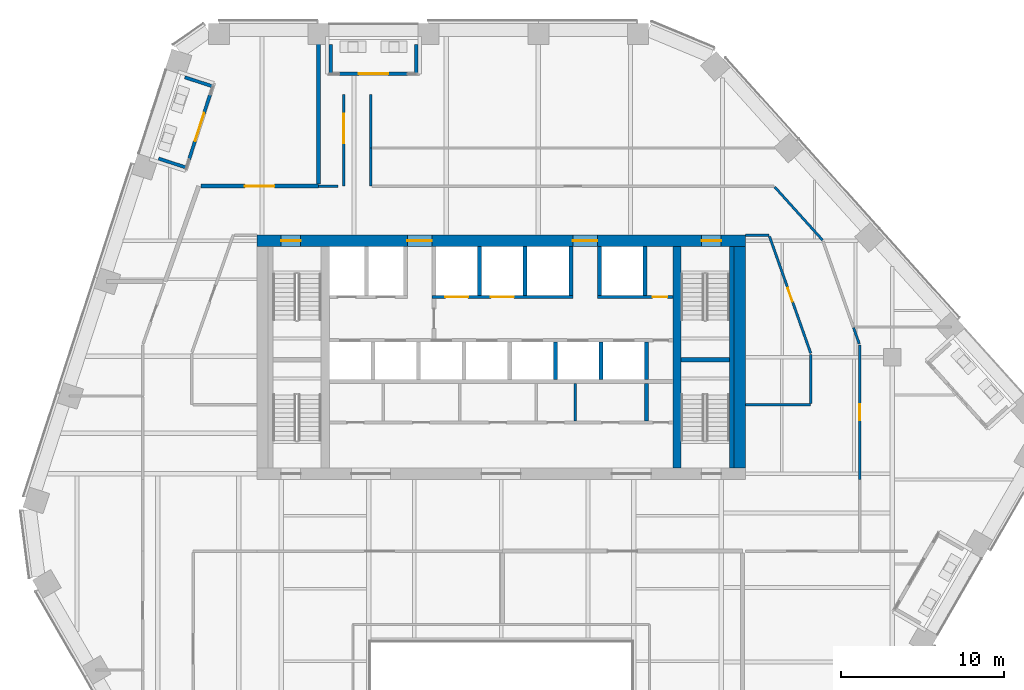
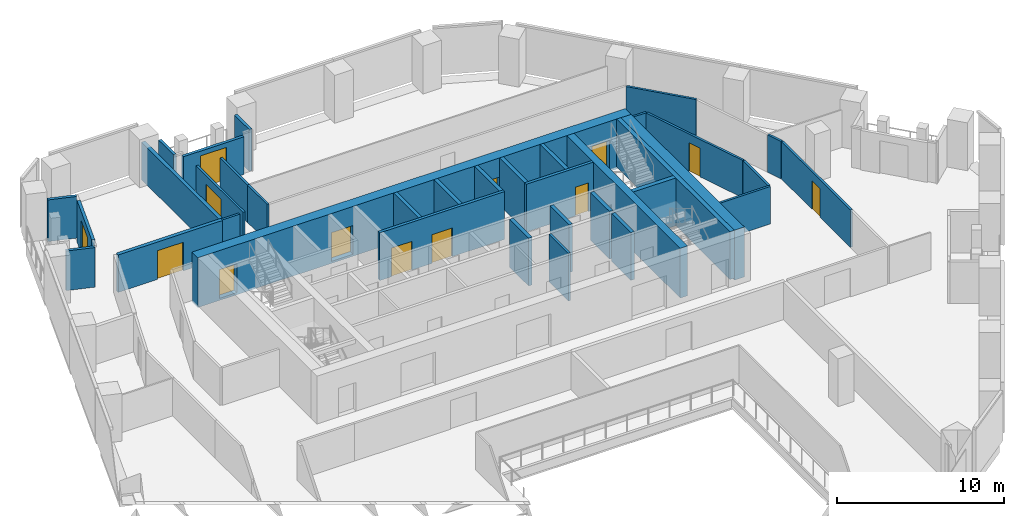
# One storey, part 21 of 26: 36 walls, 13 doors, 13 openings.
"""IFC4 building model written with IfcOpenShell, lengths in metres."""

from ifc_helpers import new_model, si_unit, direction, frame, frame_2d, origin, place, context, subcontext, project, spatial, rectangle, extrude, material, layer, layer_set, type_object, element, fill, save


model = new_model("IFC4")

# Units and contexts
model_context = context("Model", 3, precision=1e-05, world=origin(), true_north=direction((0.0, 1.0)))
body_context = subcontext(model_context, "Body", "Model", "MODEL_VIEW")
ifc_project = project(units=[si_unit("LENGTHUNIT", "METRE"), si_unit("AREAUNIT", "SQUARE_METRE"), si_unit("VOLUMEUNIT", "CUBIC_METRE"), si_unit("PLANEANGLEUNIT", "RADIAN"), si_unit("MASSUNIT", "GRAM", prefix="KILO")], contexts=[model_context])

# Site, building, storey
site_placement = place(None, origin())
site = spatial("IfcSite", under=ifc_project, at=site_placement, CompositionType="ELEMENT")
building_placement = place(site_placement, origin())
building = spatial("IfcBuilding", under=site, at=building_placement, Name="Isthmus Gate Tower", CompositionType="ELEMENT")
storey_placement = place(building_placement, frame((0.0, 0.0, 189.050048828125)))
storey = spatial("IfcBuildingStorey", under=building, at=storey_placement, Name="L47", CompositionType="ELEMENT", Elevation=189.050048828125)

# Wall, opening, door
ifc_material_1 = material(Name="Double-leaf acoustic stud wall, fire-rated", Category="gypsum")
ifc_layer_1 = layer(ifc_material_1, 0.25)
ifc_layer_set_1 = layer_set([ifc_layer_1], Name="ACOUSTIC WALL 250 60 MIN")
wall_type_1 = type_object("IfcWallType", Name="ACOUSTIC WALL 250 60 MIN", PredefinedType="PARTITIONING", material=ifc_layer_set_1)
wall_1_placement = place(storey_placement, frame((-18.43603515625, 18.0, 0.0), z_axis=(0.0, 0.0, 1.0), x_axis=(1.0, 0.0, 0.0)))
wall_1 = element("IfcWall", 1, at=wall_1_placement, inside=storey, type_object=wall_type_1, Name="L47 Acoustic Wall 250 60 Min", PredefinedType="PARTITIONING", context=body_context, shape_type="SweptSolid", body=[
    extrude(rectangle(XDim=7.22412109375, YDim=0.25, at=frame_2d((3.612060546875, 0.0))), origin(), (0.0, 0.0, 1.0), 2.7412109375),
])
opening_1_placement = place(wall_1_placement, frame((2.7119140625, 0.0, 0.0)))
opening_1 = element("IfcOpeningElement", 2, at=opening_1_placement, cuts=wall_1, Name="Opening DT-T4B-02", PredefinedType="OPENING", context=body_context, shape_type="SweptSolid", body=[
    extrude(rectangle(XDim=1.800048828125, YDim=2.10009765625, at=frame_2d((0.89990234375, 1.050048828125))), frame((0.0, 0.135009765625, 0.0), z_axis=(0.0, -1.0, 0.0), x_axis=(1.0, 0.0, 0.0)), (0.0, 0.0, 1.0), 0.27001953125),
])
ifc_material_2 = material(Name="Solid core timber door leaf, fire-rated", Category="wood")
door_type_1 = type_object("IfcDoorType", Name="FIRE DOOR ACOUSTIC ROOM 1800 X 2100 60 MIN", OperationType="DOUBLE_DOOR_DOUBLE_SWING", PredefinedType="DOOR", material=ifc_material_2)
door_1_placement = place(opening_1_placement, origin())
door_1 = element("IfcDoor", 3, at=door_1_placement, inside=storey, type_object=door_type_1, Name="L47 room door", OperationType="DOUBLE_DOOR_DOUBLE_SWING", OverallHeight=2.10009765625, OverallWidth=1.800048828125, PredefinedType="DOOR", context=body_context, shape_type="SweptSolid", body=[
    extrude(rectangle(XDim=1.800048828125, YDim=2.10009765625, at=frame_2d((0.89990234375, 1.050048828125))), frame((0.0, 0.02490234375, 0.0), z_axis=(0.0, -1.0, 0.0), x_axis=(1.0, 0.0, 0.0)), (0.0, 0.0, 1.0), 0.050048828125),
])
fill(opening_1, door_1)

# Walls
wall_2_placement = place(storey_placement, frame((-11.2119140625, 18.125, 0.0), z_axis=(0.0, 0.0, 1.0), x_axis=(0.0, 1.0, 0.0)))
element("IfcWall", 4, at=wall_2_placement, inside=storey, type_object=wall_type_1, Name="L47 Acoustic Wall 250 60 Min", PredefinedType="PARTITIONING", context=body_context, shape_type="SweptSolid", body=[
    extrude(rectangle(XDim=9.27490234375, YDim=0.25, at=frame_2d((4.637451171875, 0.0))), origin(), (0.0, 0.0, 1.0), 2.7412109375),
])
ifc_material_3 = material(Name="Gypsum board on steel studs, fire-rated", Category="steel")
ifc_layer_2 = layer(ifc_material_3, 0.14990234375)
ifc_layer_set_2 = layer_set([ifc_layer_2], Name="CORRIDOR WALL 150 60 MIN")
wall_type_2 = type_object("IfcWallType", Name="CORRIDOR WALL 150 60 MIN", PredefinedType="PARTITIONING", material=ifc_layer_set_2)
wall_3_placement = place(storey_placement, frame((-8.0, 23.6240234375, 0.0), z_axis=(0.0, 0.0, 1.0), x_axis=(0.0, -1.0, 0.0)))
element("IfcWall", 5, at=wall_3_placement, inside=storey, type_object=wall_type_2, Name="L47 Corridor Wall 150 60 Min", PredefinedType="PARTITIONING", context=body_context, shape_type="SweptSolid", body=[
    extrude(rectangle(XDim=3.282958984375, YDim=0.14990234375, at=frame_2d((1.6416015625, 0.0))), origin(), (0.0, 0.0, 1.0), 2.7412109375),
])
wall_4_placement = place(storey_placement, frame((-8.0, 20.341064453125, 0.0), z_axis=(0.0, 0.0, 1.0), x_axis=(0.0, -1.0, 0.0)))
element("IfcWall", 6, at=wall_4_placement, inside=storey, type_object=wall_type_2, Name="L47 Corridor Wall 150 60 Min", PredefinedType="PARTITIONING", context=body_context, shape_type="SweptSolid", body=[
    extrude(rectangle(XDim=2.341064453125, YDim=0.14990234375, at=frame_2d((1.17041015625, 0.0))), origin(), (0.0, 0.0, 1.0), 2.7412109375),
])
wall_5_placement = place(storey_placement, frame((16.43896484375, 15.0, 0.0), z_axis=(0.0, 0.0, 1.0), x_axis=(-1.0, 0.0, 0.0)))
element("IfcWall", 7, at=wall_5_placement, inside=storey, type_object=wall_type_2, Name="L47 Corridor Wall 150 60 Min", PredefinedType="PARTITIONING", context=body_context, shape_type="SweptSolid", body=[
    extrude(rectangle(XDim=1.43896484375, YDim=0.14990234375, at=frame_2d((0.719482421875, 0.0))), origin(), (0.0, 0.0, 1.0), 2.7412109375),
])

# Wall, opening, door
wall_6_placement = place(storey_placement, frame((19.0, 7.742919921875, 0.0), z_axis=(0.0, 0.0, 1.0), x_axis=(-0.332768168026, 0.943008667165, 0.0)))
wall_6 = element("IfcWall", 8, at=wall_6_placement, inside=storey, type_object=wall_type_2, Name="L47 Corridor Wall 150 60 Min", PredefinedType="PARTITIONING", context=body_context, shape_type="SweptSolid", body=[
    extrude(rectangle(XDim=7.62060546875, YDim=0.14990234375, at=frame_2d((3.810302734375, 0.0))), origin(), (0.0, 0.0, 1.0), 2.7412109375),
])
opening_2_placement = place(wall_6_placement, frame((3.3603515625, 0.0, 0.0)))
opening_2 = element("IfcOpeningElement", 9, at=opening_2_placement, cuts=wall_6, Name="Opening DT-T4B-05", PredefinedType="OPENING", context=body_context, shape_type="SweptSolid", body=[
    extrude(rectangle(XDim=0.89990234375, YDim=2.10009765625, at=frame_2d((0.449951171875, 1.050048828125))), frame((0.0, 0.0849609375, 0.0), z_axis=(0.0, -1.0, 0.0), x_axis=(1.0, 0.0, 0.0)), (0.0, 0.0, 1.0), 0.169921875),
])
ifc_material_4 = material(Name="Solid core timber door leaf, fire-rated", Category="wood")
door_type_2 = type_object("IfcDoorType", Name="FIRE DOOR ROOM 900 X 2100 60 MIN", OperationType="SINGLE_SWING_LEFT", PredefinedType="DOOR", material=ifc_material_4)
door_2_placement = place(opening_2_placement, origin())
door_2 = element("IfcDoor", 10, at=door_2_placement, inside=storey, type_object=door_type_2, Name="L47 room door", OperationType="SINGLE_SWING_RIGHT", OverallHeight=2.10009765625, OverallWidth=0.89990234375, PredefinedType="DOOR", context=body_context, shape_type="SweptSolid", body=[
    extrude(rectangle(XDim=0.89990234375, YDim=2.10009765625, at=frame_2d((0.449951171875, 1.050048828125))), frame((0.0, 0.02490234375, 0.0), z_axis=(0.0, -1.0, 0.0), x_axis=(1.0, 0.0, 0.0)), (0.0, 0.0, 1.0), 0.050048828125),
])
fill(opening_2, door_2)

wall_7_placement = place(storey_placement, frame((22.0, 8.257080078125, 0.0), z_axis=(0.0, 0.0, 1.0), x_axis=(0.0, -1.0, 0.0)))
wall_7 = element("IfcWall", 11, at=wall_7_placement, inside=storey, type_object=wall_type_2, Name="L47 Corridor Wall 150 60 Min", PredefinedType="PARTITIONING", context=body_context, shape_type="SweptSolid", body=[
    extrude(rectangle(XDim=8.257080078125, YDim=0.14990234375, at=frame_2d((4.12841796875, 0.0))), origin(), (0.0, 0.0, 1.0), 2.7412109375),
])
opening_3_placement = place(wall_7_placement, frame((3.62841796875, 0.0, 0.0)))
opening_3 = element("IfcOpeningElement", 12, at=opening_3_placement, cuts=wall_7, Name="Opening DT-T4B-08", PredefinedType="OPENING", context=body_context, shape_type="SweptSolid", body=[
    extrude(rectangle(XDim=1.0, YDim=2.10009765625, at=frame_2d((0.5, 1.050048828125))), frame((0.0, 0.0849609375, 0.0), z_axis=(0.0, -1.0, 0.0), x_axis=(1.0, 0.0, 0.0)), (0.0, 0.0, 1.0), 0.169921875),
])
ifc_material_5 = material(Name="Solid core timber door leaf, fire-rated", Category="wood")
door_type_3 = type_object("IfcDoorType", Name="FIRE DOOR ROOM 1000 X 2100 60 MIN", OperationType="SINGLE_SWING_LEFT", PredefinedType="DOOR", material=ifc_material_5)
door_3_placement = place(opening_3_placement, origin())
door_3 = element("IfcDoor", 13, at=door_3_placement, inside=storey, type_object=door_type_3, Name="L47 room door", OperationType="SINGLE_SWING_RIGHT", OverallHeight=2.10009765625, OverallWidth=1.0, PredefinedType="DOOR", context=body_context, shape_type="SweptSolid", body=[
    extrude(rectangle(XDim=1.0, YDim=2.10009765625, at=frame_2d((0.5, 1.050048828125))), frame((0.0, 0.02490234375, 0.0), z_axis=(0.0, -1.0, 0.0), x_axis=(1.0, 0.0, 0.0)), (0.0, 0.0, 1.0), 0.050048828125),
])
fill(opening_3, door_3)

# Wall
wall_8_placement = place(storey_placement, frame((-11.2119140625, 18.0, 0.0), z_axis=(0.0, 0.0, 1.0), x_axis=(1.0, 0.0, 0.0)))
element("IfcWall", 14, at=wall_8_placement, inside=storey, type_object=wall_type_2, Name="L47 Corridor Wall 150 60 Min", PredefinedType="PARTITIONING", context=body_context, shape_type="SweptSolid", body=[
    extrude(rectangle(XDim=1.2099609375, YDim=0.14990234375, at=frame_2d((0.60498046875, 0.0))), origin(), (0.0, 0.0, 1.0), 2.7412109375),
])

# Wall, opening, door
wall_9_placement = place(storey_placement, frame((-9.659912109375, 17.998046875, 0.0), z_axis=(0.0, 0.0, 1.0), x_axis=(0.0, 1.0, 0.0)))
wall_9 = element("IfcWall", 15, at=wall_9_placement, inside=storey, type_object=wall_type_2, Name="L47 Corridor Wall 150 60 Min", PredefinedType="PARTITIONING", context=body_context, shape_type="SweptSolid", body=[
    extrude(rectangle(XDim=5.6259765625, YDim=0.14990234375, at=frame_2d((2.81298828125, 0.0))), origin(), (0.0, 0.0, 1.0), 2.7412109375),
])
opening_4_placement = place(wall_9_placement, frame((2.65087890625, 0.0, 0.0)))
opening_4 = element("IfcOpeningElement", 16, at=opening_4_placement, cuts=wall_9, Name="Opening DT-T4B-01", PredefinedType="OPENING", context=body_context, shape_type="SweptSolid", body=[
    extrude(rectangle(XDim=1.800048828125, YDim=2.10009765625, at=frame_2d((0.89990234375, 1.050048828125))), frame((0.0, 0.0849609375, 0.0), z_axis=(0.0, -1.0, 0.0), x_axis=(1.0, 0.0, 0.0)), (0.0, 0.0, 1.0), 0.169921875),
])
ifc_material_6 = material(Name="Solid core timber door leaf, fire-rated", Category="wood")
door_type_4 = type_object("IfcDoorType", Name="FIRE DOOR ROOM 1800 X 2100 60 MIN", OperationType="DOUBLE_DOOR_DOUBLE_SWING", PredefinedType="DOOR", material=ifc_material_6)
door_4_placement = place(opening_4_placement, origin())
door_4 = element("IfcDoor", 17, at=door_4_placement, inside=storey, type_object=door_type_4, Name="L47 room door", OperationType="DOUBLE_DOOR_DOUBLE_SWING", OverallHeight=2.10009765625, OverallWidth=1.800048828125, PredefinedType="DOOR", context=body_context, shape_type="SweptSolid", body=[
    extrude(rectangle(XDim=1.800048828125, YDim=2.10009765625, at=frame_2d((0.89990234375, 1.050048828125))), frame((0.0, 0.02490234375, 0.0), z_axis=(0.0, -1.0, 0.0), x_axis=(1.0, 0.0, 0.0)), (0.0, 0.0, 1.0), 0.050048828125),
])
fill(opening_4, door_4)

# Walls
wall_10_placement = place(storey_placement, frame((16.795166015625, 17.9443359375, 0.0), z_axis=(0.0, 0.0, 1.0), x_axis=(0.66903540409, -0.743230534945, 0.0)))
element("IfcWall", 18, at=wall_10_placement, inside=storey, type_object=wall_type_2, Name="L47 Corridor Wall 150 60 Min", PredefinedType="PARTITIONING", context=body_context, shape_type="SweptSolid", body=[
    extrude(rectangle(XDim=4.3896484375, YDim=0.14990234375, at=frame_2d((2.19482421875, 0.0))), origin(), (0.0, 0.0, 1.0), 2.7412109375),
])
wall_11_placement = place(storey_placement, frame((15.0, 4.60009765625, 0.0), z_axis=(0.0, 0.0, 1.0), x_axis=(1.0, 0.0, 0.0)))
element("IfcWall", 19, at=wall_11_placement, inside=storey, type_object=wall_type_2, Name="L47 Corridor Wall 150 60 Min", PredefinedType="PARTITIONING", context=body_context, shape_type="SweptSolid", body=[
    extrude(rectangle(XDim=4.0, YDim=0.14990234375, at=frame_2d((2.0, 0.0))), origin(), (0.0, 0.0, 1.0), 2.7412109375),
])
wall_12_placement = place(storey_placement, frame((19.0, 4.675048828125, 0.0), z_axis=(0.0, 0.0, 1.0), x_axis=(0.0, 1.0, 0.0)))
element("IfcWall", 20, at=wall_12_placement, inside=storey, type_object=wall_type_2, Name="L47 Corridor Wall 150 60 Min", PredefinedType="PARTITIONING", context=body_context, shape_type="SweptSolid", body=[
    extrude(rectangle(XDim=2.992919921875, YDim=0.14990234375, at=frame_2d((1.49658203125, 0.0))), origin(), (0.0, 0.0, 1.0), 2.7412109375),
])
wall_13_placement = place(storey_placement, frame((21.628662109375, 9.309814453125, 0.0), z_axis=(0.0, 0.0, 1.0), x_axis=(0.33263618507, -0.943055230823, 0.0)))
element("IfcWall", 21, at=wall_13_placement, inside=storey, type_object=wall_type_2, Name="L47 Corridor Wall 150 60 Min", PredefinedType="PARTITIONING", context=body_context, shape_type="SweptSolid", body=[
    extrude(rectangle(XDim=1.04150390625, YDim=0.14990234375, at=frame_2d((0.520751953125, 0.0))), origin(), (0.0, 0.0, 1.0), 2.7412109375),
])

# Wall, opening, door
ifc_material_7 = material(Name="Precast concrete C40/50", Category="concrete")
ifc_layer_3 = layer(ifc_material_7, 0.199951171875)
ifc_layer_set_3 = layer_set([ifc_layer_3], Name="LOGGIA WALL 200")
wall_type_3 = type_object("IfcWallType", Name="LOGGIA WALL 200", PredefinedType="SOLIDWALL", material=ifc_layer_set_3)
wall_14_placement = place(storey_placement, frame((-5.73681640625, 24.89990234375, 0.0), z_axis=(0.0, 0.0, 1.0), x_axis=(-1.0, 0.0, 0.0)))
wall_14 = element("IfcWall", 22, at=wall_14_placement, inside=storey, type_object=wall_type_3, Name="LOGGIA BACK WALL", PredefinedType="SOLIDWALL", context=body_context, shape_type="SweptSolid", body=[
    extrude(rectangle(XDim=4.199951171875, YDim=0.199951171875, at=frame_2d((2.10009765625, 0.0))), origin(), (0.0, 0.0, 1.0), 2.750732421875),
])
opening_5_placement = place(wall_14_placement, frame((1.199951171875, 0.0, 0.0)))
opening_5 = element("IfcOpeningElement", 23, at=opening_5_placement, cuts=wall_14, Name="Opening DE47-01", PredefinedType="OPENING", context=body_context, shape_type="SweptSolid", body=[
    extrude(rectangle(XDim=1.800048828125, YDim=2.39990234375, at=frame_2d((0.89990234375, 1.199951171875))), frame((0.0, 0.10986328125, 0.0), z_axis=(0.0, -1.0, 0.0), x_axis=(1.0, 0.0, 0.0)), (0.0, 0.0, 1.0), 0.219970703125),
])
ifc_material_8 = material(Name="Aluminium, pale champagne anodised, laminated glass", Category="aluminium")
door_type_5 = type_object("IfcDoorType", Name="LOGGIA DOOR SLIDING 1800 X 2400", OperationType="DOUBLE_DOOR_SLIDING", PredefinedType="DOOR", material=ifc_material_8)
door_5_placement = place(opening_5_placement, origin())
door_5 = element("IfcDoor", 24, at=door_5_placement, inside=storey, type_object=door_type_5, Name="DOOR DE47-01", OperationType="SINGLE_SWING_LEFT", OverallHeight=2.39990234375, OverallWidth=1.800048828125, PredefinedType="DOOR", context=body_context, shape_type="SweptSolid", body=[
    extrude(rectangle(XDim=1.800048828125, YDim=2.39990234375, at=frame_2d((0.89990234375, 1.199951171875))), frame((0.0, 0.02490234375, 0.0), z_axis=(0.0, -1.0, 0.0), x_axis=(1.0, 0.0, 0.0)), (0.0, 0.0, 1.0), 0.050048828125),
])
fill(opening_5, door_5)

# Walls
for number, where, z_axis, x_axis, name in (
    (25, (-5.211669921875, 26.699951171875, 0.0), (0.0, 0.0, 1.0), (0.0, -1.0, 0.0), "LOGGIA SIDE WALL"),
    (26, (-10.4619140625, 26.699951171875, 0.0), (0.0, 0.0, 1.0), (0.0, -1.0, 0.0), "LOGGIA SIDE WALL"),
):
    element("IfcWall", number, at=place(storey_placement, frame(where, z_axis=z_axis, x_axis=x_axis)), inside=storey, type_object=wall_type_3, Name=name, PredefinedType="SOLIDWALL", context=body_context, shape_type="SweptSolid", body=[
        extrude(rectangle(XDim=1.783935546875, YDim=0.199951171875, at=frame_2d((0.89208984375, 0.0))), origin(), (0.0, 0.0, 1.0), 3.050048828125),
    ])

# Wall, opening, door
wall_15_placement = place(storey_placement, frame((-17.860107421875, 23.630615234375, 0.0), z_axis=(0.0, 0.0, 1.0), x_axis=(-0.30901640812, -0.951056706781, 0.0)))
wall_15 = element("IfcWall", 27, at=wall_15_placement, inside=storey, type_object=wall_type_3, Name="LOGGIA BACK WALL", PredefinedType="SOLIDWALL", context=body_context, shape_type="SweptSolid", body=[
    extrude(rectangle(XDim=4.199951171875, YDim=0.199951171875, at=frame_2d((2.10009765625, 0.0))), origin(), (0.0, 0.0, 1.0), 3.050048828125),
])
opening_6_placement = place(wall_15_placement, frame((1.199951171875, 0.0, 0.0)))
opening_6 = element("IfcOpeningElement", 28, at=opening_6_placement, cuts=wall_15, Name="Opening DE47-02", PredefinedType="OPENING", context=body_context, shape_type="SweptSolid", body=[
    extrude(rectangle(XDim=1.800048828125, YDim=2.39990234375, at=frame_2d((0.89990234375, 1.199951171875))), frame((0.0, 0.10986328125, 0.0), z_axis=(0.0, -1.0, 0.0), x_axis=(1.0, 0.0, 0.0)), (0.0, 0.0, 1.0), 0.219970703125),
])
door_6_placement = place(opening_6_placement, origin())
door_6 = element("IfcDoor", 29, at=door_6_placement, inside=storey, type_object=door_type_5, Name="DOOR DE47-02", OperationType="SINGLE_SWING_LEFT", OverallHeight=2.39990234375, OverallWidth=1.800048828125, PredefinedType="DOOR", context=body_context, shape_type="SweptSolid", body=[
    extrude(rectangle(XDim=1.800048828125, YDim=2.39990234375, at=frame_2d((0.89990234375, 1.199951171875))), frame((0.0, 0.02490234375, 0.0), z_axis=(0.0, -1.0, 0.0), x_axis=(1.0, 0.0, 0.0)), (0.0, 0.0, 1.0), 0.050048828125),
])
fill(opening_6, door_6)

# Walls
wall_16_placement = place(storey_placement, frame((-19.4111328125, 24.681640625, 0.0), z_axis=(0.0, 0.0, 1.0), x_axis=(0.951064233263, -0.30899324298, 0.0)))
element("IfcWall", 30, at=wall_16_placement, inside=storey, type_object=wall_type_3, Name="LOGGIA SIDE WALL", PredefinedType="SOLIDWALL", context=body_context, shape_type="SweptSolid", body=[
    extrude(rectangle(XDim=1.7841796875, YDim=0.199951171875, at=frame_2d((0.89208984375, 0.0))), origin(), (0.0, 0.0, 1.0), 3.050048828125),
])
wall_17_placement = place(storey_placement, frame((-21.030517578125, 19.697509765625, 0.0), z_axis=(0.0, 0.0, 1.0), x_axis=(0.951051165303, -0.309033462549, 0.0)))
element("IfcWall", 31, at=wall_17_placement, inside=storey, type_object=wall_type_3, Name="LOGGIA SIDE WALL", PredefinedType="SOLIDWALL", context=body_context, shape_type="SweptSolid", body=[
    extrude(rectangle(XDim=1.783935546875, YDim=0.199951171875, at=frame_2d((0.89208984375, 0.0))), origin(), (0.0, 0.0, 1.0), 2.896728515625),
])
ifc_material_9 = material(Name="Concrete f'c 60 MPa", Category="concrete")
ifc_layer_4 = layer(ifc_material_9, 0.5)
ifc_layer_set_4 = layer_set([ifc_layer_4], Name="RC CORE SPINE WALL 500 F'C 60")
wall_type_4 = type_object("IfcWallType", Name="RC CORE SPINE WALL 500 F'C 60", PredefinedType="SOLIDWALL", material=ifc_layer_set_4)
wall_18_placement = place(storey_placement, frame((10.800048828125, 0.699951171875, -0.150146484375), z_axis=(0.0, 0.0, 1.0), x_axis=(0.0, 1.0, 0.0)))
element("IfcWall", 32, at=wall_18_placement, inside=storey, type_object=wall_type_4, Name="str-corewall-L47-SPE", PredefinedType="SOLIDWALL", context=body_context, shape_type="SweptSolid", body=[
    extrude(rectangle(XDim=13.60009765625, YDim=0.5, at=frame_2d((6.800048828125, 0.0))), origin(), (0.0, 0.0, 1.0), 3.650146484375),
])

# Wall, openings, doors
ifc_material_10 = material(Name="Concrete f'c 60 MPa", Category="concrete")
ifc_layer_5 = layer(ifc_material_10, 0.699951171875)
ifc_layer_set_5 = layer_set([ifc_layer_5], Name="RC CORE WALL 700 F'C 60")
wall_type_5 = type_object("IfcWallType", Name="RC CORE WALL 700 F'C 60", PredefinedType="SOLIDWALL", material=ifc_layer_set_5)
wall_19_placement = place(storey_placement, frame((-15.0, 14.64990234375, -0.150146484375), z_axis=(0.0, 0.0, 1.0), x_axis=(1.0, 0.0, 0.0)))
wall_19 = element("IfcWall", 33, at=wall_19_placement, inside=storey, type_object=wall_type_5, Name="str-corewall-L47-N", PredefinedType="SOLIDWALL", context=body_context, shape_type="SweptSolid", body=[
    extrude(rectangle(XDim=30.0, YDim=0.699951171875, at=frame_2d((15.0, 0.0))), origin(), (0.0, 0.0, 1.0), 3.650146484375),
])
opening_7_placement = place(wall_19_placement, frame((9.25, 0.0, 0.14990234375)))
opening_7 = element("IfcOpeningElement", 34, at=opening_7_placement, cuts=wall_19, Name="Opening DC-A10-13", PredefinedType="OPENING", context=body_context, shape_type="SweptSolid", body=[
    extrude(rectangle(XDim=1.5, YDim=2.10009765625, at=frame_2d((0.75, 1.050048828125))), frame((0.0, 0.35986328125, 0.0), z_axis=(0.0, -1.0, 0.0), x_axis=(1.0, 0.0, 0.0)), (0.0, 0.0, 1.0), 0.719970703125),
])
opening_8_placement = place(wall_19_placement, frame((19.39990234375, 0.0, 0.14990234375)))
opening_8 = element("IfcOpeningElement", 35, at=opening_8_placement, cuts=wall_19, Name="Opening DC-A10-14", PredefinedType="OPENING", context=body_context, shape_type="SweptSolid", body=[
    extrude(rectangle(XDim=1.5, YDim=2.10009765625, at=frame_2d((0.75, 1.050048828125))), frame((0.0, 0.35986328125, 0.0), z_axis=(0.0, -1.0, 0.0), x_axis=(1.0, 0.0, 0.0)), (0.0, 0.0, 1.0), 0.719970703125),
])
opening_9_placement = place(wall_19_placement, frame((1.5, 0.0, 0.14990234375)))
opening_9 = element("IfcOpeningElement", 36, at=opening_9_placement, cuts=wall_19, Name="Opening DC-A10-15", PredefinedType="OPENING", context=body_context, shape_type="SweptSolid", body=[
    extrude(rectangle(XDim=1.199951171875, YDim=2.10009765625, at=frame_2d((0.60009765625, 1.050048828125))), frame((0.0, 0.35986328125, 0.0), z_axis=(0.0, -1.0, 0.0), x_axis=(1.0, 0.0, 0.0)), (0.0, 0.0, 1.0), 0.719970703125),
])
opening_10_placement = place(wall_19_placement, frame((27.300048828125, 0.0, 0.14990234375)))
opening_10 = element("IfcOpeningElement", 37, at=opening_10_placement, cuts=wall_19, Name="Opening DC-A10-16", PredefinedType="OPENING", context=body_context, shape_type="SweptSolid", body=[
    extrude(rectangle(XDim=1.199951171875, YDim=2.10009765625, at=frame_2d((0.60009765625, 1.050048828125))), frame((0.0, 0.35986328125, 0.0), z_axis=(0.0, -1.0, 0.0), x_axis=(1.0, 0.0, 0.0)), (0.0, 0.0, 1.0), 0.719970703125),
])
ifc_material_11 = material(Name="Steel door leaf, fire-rated", Category="steel")
door_type_6 = type_object("IfcDoorType", Name="LOBBY FIRE DOOR 1500 X 2100 60 MIN", OperationType="DOUBLE_DOOR_SINGLE_SWING", PredefinedType="DOOR", material=ifc_material_11)
door_7_placement = place(opening_8_placement, origin())
door_7 = element("IfcDoor", 38, at=door_7_placement, inside=storey, type_object=door_type_6, Name="Lobby Door PN-E", OperationType="DOUBLE_DOOR_SINGLE_SWING", OverallHeight=2.10009765625, OverallWidth=1.5, PredefinedType="DOOR", context=body_context, shape_type="SweptSolid", body=[
    extrude(rectangle(XDim=1.5, YDim=2.10009765625, at=frame_2d((0.75, 1.050048828125))), frame((0.0, 0.02490234375, 0.0), z_axis=(0.0, -1.0, 0.0), x_axis=(1.0, 0.0, 0.0)), (0.0, 0.0, 1.0), 0.050048828125),
])
fill(opening_8, door_7)
ifc_material_12 = material(Name="Steel door leaf, fire-rated", Category="steel")
door_type_7 = type_object("IfcDoorType", Name="LOBBY FIRE DOOR 1500 X 2100 90 MIN", OperationType="DOUBLE_DOOR_SINGLE_SWING", PredefinedType="DOOR", material=ifc_material_12)
door_8_placement = place(opening_7_placement, origin())
door_8 = element("IfcDoor", 39, at=door_8_placement, inside=storey, type_object=door_type_7, Name="Lobby Door PN-W", OperationType="DOUBLE_DOOR_SINGLE_SWING", OverallHeight=2.10009765625, OverallWidth=1.5, PredefinedType="DOOR", context=body_context, shape_type="SweptSolid", body=[
    extrude(rectangle(XDim=1.5, YDim=2.10009765625, at=frame_2d((0.75, 1.050048828125))), frame((0.0, 0.02490234375, 0.0), z_axis=(0.0, -1.0, 0.0), x_axis=(1.0, 0.0, 0.0)), (0.0, 0.0, 1.0), 0.050048828125),
])
fill(opening_7, door_8)
ifc_material_13 = material(Name="Steel door leaf, fire-rated", Category="steel")
door_type_8 = type_object("IfcDoorType", Name="STAIR FIRE DOOR 1200 X 2100 90 MIN", OperationType="SINGLE_SWING_LEFT", PredefinedType="DOOR", material=ifc_material_13)
door_9_placement = place(opening_9_placement, origin())
door_9 = element("IfcDoor", 40, at=door_9_placement, inside=storey, type_object=door_type_8, Name="Exit Stair 1 Door", OperationType="SINGLE_SWING_RIGHT", OverallHeight=2.10009765625, OverallWidth=1.199951171875, PredefinedType="DOOR", context=body_context, shape_type="SweptSolid", body=[
    extrude(rectangle(XDim=1.199951171875, YDim=2.10009765625, at=frame_2d((0.60009765625, 1.050048828125))), frame((0.0, 0.02490234375, 0.0), z_axis=(0.0, -1.0, 0.0), x_axis=(1.0, 0.0, 0.0)), (0.0, 0.0, 1.0), 0.050048828125),
])
fill(opening_9, door_9)
door_10_placement = place(opening_10_placement, origin())
door_10 = element("IfcDoor", 41, at=door_10_placement, inside=storey, type_object=door_type_8, Name="Exit Stair 2 Door", OperationType="SINGLE_SWING_LEFT", OverallHeight=2.10009765625, OverallWidth=1.199951171875, PredefinedType="DOOR", context=body_context, shape_type="SweptSolid", body=[
    extrude(rectangle(XDim=1.199951171875, YDim=2.10009765625, at=frame_2d((0.60009765625, 1.050048828125))), frame((0.0, 0.02490234375, 0.0), z_axis=(0.0, -1.0, 0.0), x_axis=(1.0, 0.0, 0.0)), (0.0, 0.0, 1.0), 0.050048828125),
])
fill(opening_10, door_10)

# Walls
wall_20_placement = place(storey_placement, frame((14.64990234375, 0.699951171875, -0.150146484375), z_axis=(0.0, 0.0, 1.0), x_axis=(0.0, 1.0, 0.0)))
element("IfcWall", 42, at=wall_20_placement, inside=storey, type_object=wall_type_5, Name="str-corewall-L47-E", PredefinedType="SOLIDWALL", context=body_context, shape_type="SweptSolid", body=[
    extrude(rectangle(XDim=13.60009765625, YDim=0.699951171875, at=frame_2d((6.800048828125, 0.0))), origin(), (0.0, 0.0, 1.0), 3.650146484375),
])
ifc_material_14 = material(Name="Gypsum board on steel studs, fire-rated", Category="steel")
ifc_layer_6 = layer(ifc_material_14, 0.14990234375)
ifc_layer_set_6 = layer_set([ifc_layer_6], Name="ROOM PARTITION 150 60 MIN")
wall_type_6 = type_object("IfcWallType", Name="ROOM PARTITION 150 60 MIN", PredefinedType="PARTITIONING", material=ifc_layer_set_6)
wall_21_placement = place(storey_placement, frame((4.550048828125, 3.60009765625, 0.0), z_axis=(0.0, 0.0, 1.0), x_axis=(0.0, 1.0, 0.0)))
element("IfcWall", 43, at=wall_21_placement, inside=storey, type_object=wall_type_6, Name="L47 ROOM PARTITION 150 60 MIN", PredefinedType="PARTITIONING", context=body_context, shape_type="SweptSolid", body=[
    extrude(rectangle(XDim=2.2998046875, YDim=0.14990234375, at=frame_2d((1.14990234375, 0.0))), origin(), (0.0, 0.0, 1.0), 3.5),
])

# Wall, openings, doors
ifc_material_15 = material(Name="Fire-rated blockwork masonry, 15 MPa", Category="masonry")
ifc_layer_7 = layer(ifc_material_15, 0.199951171875)
ifc_layer_set_7 = layer_set([ifc_layer_7], Name="SHAFT FRONT WALL 200 120 MIN")
wall_type_7 = type_object("IfcWallType", Name="SHAFT FRONT WALL 200 120 MIN", PredefinedType="PARTITIONING", material=ifc_layer_set_7)
wall_22_placement = place(storey_placement, frame((-4.25, 11.199951171875, 0.0), z_axis=(0.0, 0.0, 1.0), x_axis=(1.0, 0.0, 0.0)))
wall_22 = element("IfcWall", 44, at=wall_22_placement, inside=storey, type_object=wall_type_7, Name="L47 SHAFT FRONT WALL 200 120 MIN", PredefinedType="PARTITIONING", context=body_context, shape_type="SweptSolid", body=[
    extrude(rectangle(XDim=8.64990234375, YDim=0.199951171875, at=frame_2d((4.324951171875, 0.0))), origin(), (0.0, 0.0, 1.0), 3.5),
])
opening_11_placement = place(wall_22_placement, frame((0.824951171875, 0.0, 0.0)))
opening_11 = element("IfcOpeningElement", 45, at=opening_11_placement, cuts=wall_22, Name="Opening LD-LV1", PredefinedType="OPENING", context=body_context, shape_type="SweptSolid", body=[
    extrude(rectangle(XDim=1.39990234375, YDim=2.10009765625, at=frame_2d((0.699951171875, 1.050048828125))), frame((0.0, 0.10986328125, 0.0), z_axis=(0.0, -1.0, 0.0), x_axis=(1.0, 0.0, 0.0)), (0.0, 0.0, 1.0), 0.219970703125),
])
opening_12_placement = place(wall_22_placement, frame((3.625, 0.0, 0.0)))
opening_12 = element("IfcOpeningElement", 46, at=opening_12_placement, cuts=wall_22, Name="Opening LD-LV2", PredefinedType="OPENING", context=body_context, shape_type="SweptSolid", body=[
    extrude(rectangle(XDim=1.39990234375, YDim=2.10009765625, at=frame_2d((0.699951171875, 1.050048828125))), frame((0.0, 0.10986328125, 0.0), z_axis=(0.0, -1.0, 0.0), x_axis=(1.0, 0.0, 0.0)), (0.0, 0.0, 1.0), 0.219970703125),
])
ifc_material_16 = material(Name="Stainless steel sliding leaf", Category="steel")
door_type_9 = type_object("IfcDoorType", Name="LIFT LANDING FIRE DOOR 1400 X 2100 90 MIN", OperationType="DOUBLE_DOOR_SLIDING", PredefinedType="DOOR", material=ifc_material_16)
door_11_placement = place(opening_11_placement, origin())
door_11 = element("IfcDoor", 47, at=door_11_placement, inside=storey, type_object=door_type_9, Name="Lift Landing Door LV1", OperationType="DOUBLE_DOOR_SLIDING", OverallHeight=2.10009765625, OverallWidth=1.39990234375, PredefinedType="DOOR", context=body_context, shape_type="SweptSolid", body=[
    extrude(rectangle(XDim=1.39990234375, YDim=2.10009765625, at=frame_2d((0.699951171875, 1.050048828125))), frame((0.0, 0.02490234375, 0.0), z_axis=(0.0, -1.0, 0.0), x_axis=(1.0, 0.0, 0.0)), (0.0, 0.0, 1.0), 0.050048828125),
])
fill(opening_11, door_11)
door_12_placement = place(opening_12_placement, origin())
door_12 = element("IfcDoor", 48, at=door_12_placement, inside=storey, type_object=door_type_9, Name="Lift Landing Door LV2", OperationType="DOUBLE_DOOR_SLIDING", OverallHeight=2.10009765625, OverallWidth=1.39990234375, PredefinedType="DOOR", context=body_context, shape_type="SweptSolid", body=[
    extrude(rectangle(XDim=1.39990234375, YDim=2.10009765625, at=frame_2d((0.699951171875, 1.050048828125))), frame((0.0, 0.02490234375, 0.0), z_axis=(0.0, -1.0, 0.0), x_axis=(1.0, 0.0, 0.0)), (0.0, 0.0, 1.0), 0.050048828125),
])
fill(opening_12, door_12)

# Wall, opening, door
wall_23_placement = place(storey_placement, frame((5.89990234375, 11.199951171875, 0.0), z_axis=(0.0, 0.0, 1.0), x_axis=(1.0, 0.0, 0.0)))
wall_23 = element("IfcWall", 49, at=wall_23_placement, inside=storey, type_object=wall_type_7, Name="L47 SHAFT FRONT WALL 200 120 MIN", PredefinedType="PARTITIONING", context=body_context, shape_type="SweptSolid", body=[
    extrude(rectangle(XDim=4.650146484375, YDim=0.199951171875, at=frame_2d((2.3251953125, 0.0))), origin(), (0.0, 0.0, 1.0), 3.5),
])
opening_13_placement = place(wall_23_placement, frame((3.39990234375, 0.0, 0.0)))
opening_13 = element("IfcOpeningElement", 50, at=opening_13_placement, cuts=wall_23, Name="Opening DC-A10-09", PredefinedType="OPENING", context=body_context, shape_type="SweptSolid", body=[
    extrude(rectangle(XDim=0.89990234375, YDim=2.10009765625, at=frame_2d((0.449951171875, 1.050048828125))), frame((0.0, 0.10986328125, 0.0), z_axis=(0.0, -1.0, 0.0), x_axis=(1.0, 0.0, 0.0)), (0.0, 0.0, 1.0), 0.219970703125),
])
ifc_material_17 = material(Name="Steel door leaf, fire-rated", Category="steel")
door_type_10 = type_object("IfcDoorType", Name="RISER FIRE DOOR 900 X 2100 90 MIN", OperationType="SINGLE_SWING_LEFT", PredefinedType="DOOR", material=ifc_material_17)
door_13_placement = place(opening_13_placement, origin())
door_13 = element("IfcDoor", 51, at=door_13_placement, inside=storey, type_object=door_type_10, Name="Riser Door", OperationType="SINGLE_SWING_LEFT", OverallHeight=2.10009765625, OverallWidth=0.89990234375, PredefinedType="DOOR", context=body_context, shape_type="SweptSolid", body=[
    extrude(rectangle(XDim=0.89990234375, YDim=2.10009765625, at=frame_2d((0.449951171875, 1.050048828125))), frame((0.0, 0.02490234375, 0.0), z_axis=(0.0, -1.0, 0.0), x_axis=(1.0, 0.0, 0.0)), (0.0, 0.0, 1.0), 0.050048828125),
])
fill(opening_13, door_13)

# Walls
ifc_material_18 = material(Name="Fire-rated blockwork masonry, 15 MPa", Category="masonry")
ifc_layer_8 = layer(ifc_material_18, 0.25)
ifc_layer_set_8 = layer_set([ifc_layer_8], Name="SHAFT WALL 250 120 MIN")
wall_type_8 = type_object("IfcWallType", Name="SHAFT WALL 250 120 MIN", PredefinedType="PARTITIONING", material=ifc_layer_set_8)
wall_24_placement = place(storey_placement, frame((8.925048828125, 3.60009765625, 0.0), z_axis=(0.0, 0.0, 1.0), x_axis=(0.0, 1.0, 0.0)))
element("IfcWall", 52, at=wall_24_placement, inside=storey, type_object=wall_type_8, Name="L47 SHAFT WALL 250 120 MIN", PredefinedType="PARTITIONING", context=body_context, shape_type="SweptSolid", body=[
    extrude(rectangle(XDim=2.2998046875, YDim=0.25, at=frame_2d((1.14990234375, 0.0))), origin(), (0.0, 0.0, 1.0), 3.5),
])
for number, where, z_axis, x_axis, name in (
    (53, (3.324951171875, 6.14990234375, 0.0), (0.0, 0.0, 1.0), (0.0, 1.0, 0.0), "L47 SHAFT WALL 250 120 MIN"),
    (54, (6.125, 6.14990234375, 0.0), (0.0, 0.0, 1.0), (0.0, 1.0, 0.0), "L47 SHAFT WALL 250 120 MIN"),
    (55, (8.925048828125, 6.14990234375, 0.0), (0.0, 0.0, 1.0), (0.0, 1.0, 0.0), "L47 SHAFT WALL 250 120 MIN"),
):
    element("IfcWall", number, at=place(storey_placement, frame(where, z_axis=z_axis, x_axis=x_axis)), inside=storey, type_object=wall_type_8, Name=name, PredefinedType="PARTITIONING", context=body_context, shape_type="SweptSolid", body=[
        extrude(rectangle(XDim=2.300048828125, YDim=0.25, at=frame_2d((1.14990234375, 0.0))), origin(), (0.0, 0.0, 1.0), 3.5),
    ])
for number, where, z_axis, x_axis, name in (
    (56, (-1.324951171875, 11.300048828125, 0.0), (0.0, 0.0, 1.0), (0.0, 1.0, 0.0), "L47 SHAFT WALL 250 120 MIN"),
    (57, (1.47509765625, 11.300048828125, 0.0), (0.0, 0.0, 1.0), (0.0, 1.0, 0.0), "L47 SHAFT WALL 250 120 MIN"),
    (58, (4.27490234375, 11.300048828125, 0.0), (0.0, 0.0, 1.0), (0.0, 1.0, 0.0), "L47 SHAFT WALL 250 120 MIN"),
    (59, (6.02490234375, 11.300048828125, 0.0), (0.0, 0.0, 1.0), (0.0, 1.0, 0.0), "L47 SHAFT WALL 250 120 MIN"),
    (60, (8.824951171875, 11.300048828125, 0.0), (0.0, 0.0, 1.0), (0.0, 1.0, 0.0), "L47 SHAFT WALL 250 120 MIN"),
):
    element("IfcWall", number, at=place(storey_placement, frame(where, z_axis=z_axis, x_axis=x_axis)), inside=storey, type_object=wall_type_8, Name=name, PredefinedType="PARTITIONING", context=body_context, shape_type="SweptSolid", body=[
        extrude(rectangle(XDim=3.0, YDim=0.25, at=frame_2d((1.5, 0.0))), origin(), (0.0, 0.0, 1.0), 3.5),
    ])
ifc_material_19 = material(Name="Concrete f'c 40 MPa", Category="concrete")
ifc_layer_9 = layer(ifc_material_19, 0.300048828125)
ifc_layer_set_9 = layer_set([ifc_layer_9], Name="STAIR ENCLOSURE WALL 300 180 MIN")
wall_type_9 = type_object("IfcWallType", Name="STAIR ENCLOSURE WALL 300 180 MIN", PredefinedType="SOLIDWALL", material=ifc_layer_set_9)
wall_25_placement = place(storey_placement, frame((11.050048828125, 7.35009765625, 0.0), z_axis=(0.0, 0.0, 1.0), x_axis=(1.0, 0.0, 0.0)))
element("IfcWall", 61, at=wall_25_placement, inside=storey, type_object=wall_type_9, Name="L47 STAIR ENCLOSURE WALL 300 180 MIN", PredefinedType="SOLIDWALL", context=body_context, shape_type="SweptSolid", body=[
    extrude(rectangle(XDim=2.949951171875, YDim=0.300048828125, at=frame_2d((1.47509765625, 0.0))), origin(), (0.0, 0.0, 1.0), 3.5),
])
wall_26_placement = place(storey_placement, frame((14.14990234375, 0.699951171875, 0.0), z_axis=(0.0, 0.0, 1.0), x_axis=(0.0, 1.0, 0.0)))
element("IfcWall", 62, at=wall_26_placement, inside=storey, type_object=wall_type_9, Name="L47 STAIR ENCLOSURE WALL 300 180 MIN", PredefinedType="SOLIDWALL", context=body_context, shape_type="SweptSolid", body=[
    extrude(rectangle(XDim=13.60009765625, YDim=0.300048828125, at=frame_2d((6.800048828125, 0.0))), origin(), (0.0, 0.0, 1.0), 3.5),
])

save(model, "model.ifc")
